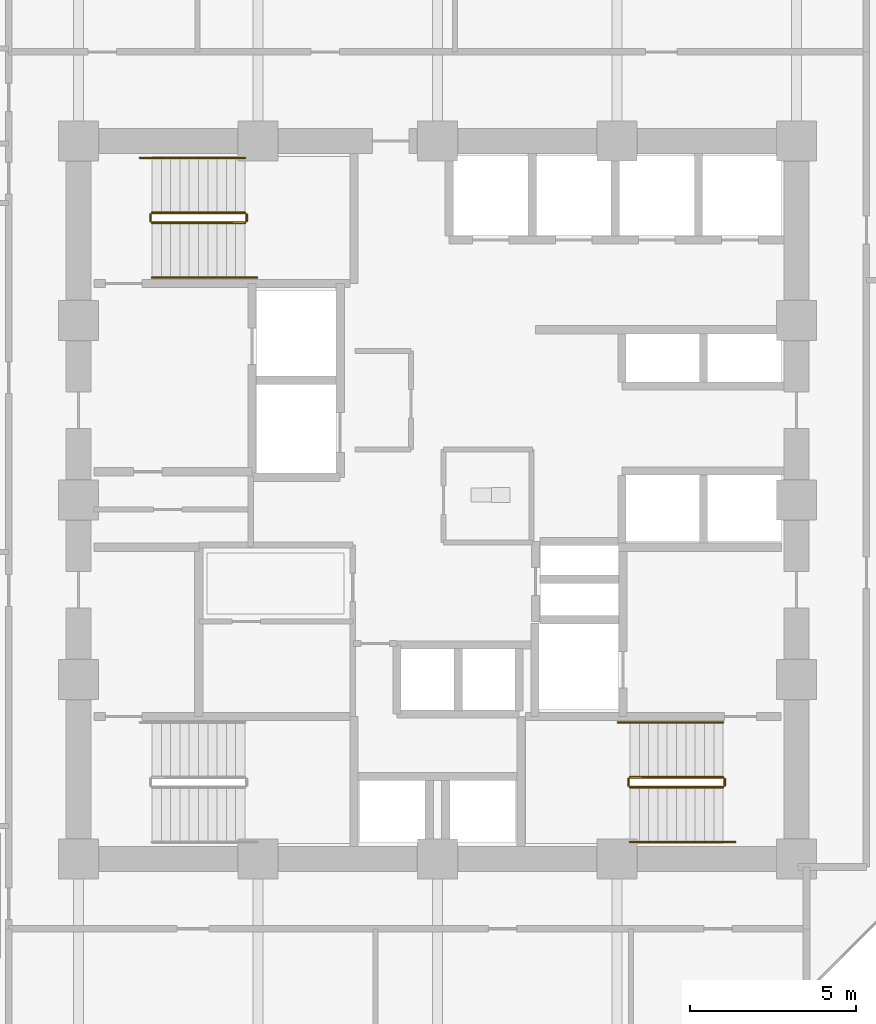
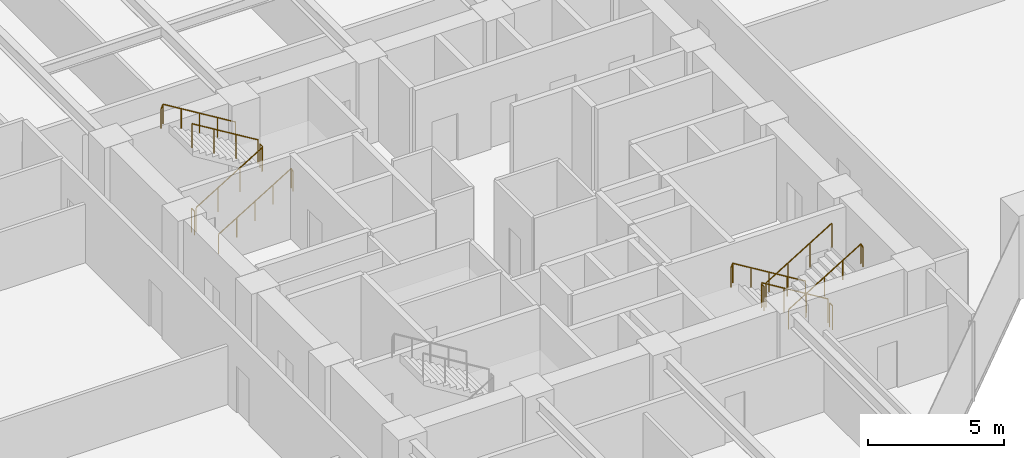
# One storey, part 24 of 25: 12 railings.
"""IFC4 building model written with IfcOpenShell, lengths in metres."""

from ifc_helpers import new_model, si_unit, direction, frame, origin, origin_2d, place, context, subcontext, project, spatial, circle, extrude, material, type_object, element, save


model = new_model("IFC4")

# Units and contexts
model_context = context("Model", 3, precision=1e-05, world=origin(), true_north=direction((0.0, 1.0)))
body_context = subcontext(model_context, "Body", "Model", "MODEL_VIEW")
ifc_project = project(units=[si_unit("LENGTHUNIT", "METRE"), si_unit("AREAUNIT", "SQUARE_METRE"), si_unit("VOLUMEUNIT", "CUBIC_METRE"), si_unit("PLANEANGLEUNIT", "RADIAN"), si_unit("MASSUNIT", "GRAM", prefix="KILO")], contexts=[model_context])

# Site, building, storey
site_placement = place(None, origin())
site = spatial("IfcSite", under=ifc_project, at=site_placement, CompositionType="ELEMENT")
building_placement = place(site_placement, origin())
building = spatial("IfcBuilding", under=site, at=building_placement, Name="Surkhivell Harbour Commons", CompositionType="ELEMENT")
storey_placement = place(building_placement, frame((0.0, 0.0, 45.0)))
storey = spatial("IfcBuildingStorey", under=building, at=storey_placement, Name="L11", CompositionType="ELEMENT", Elevation=45.0)

# Railings
ifc_material_1 = material(Name="Galvanised and painted steel S355 guard rail", Category="steel")
railing_type_1 = type_object("IfcRailingType", Name="RAL-ST-GRD1100", PredefinedType="GUARDRAIL", material=ifc_material_1)
railing_1_placement = place(storey_placement, frame((-8.590087890625, 8.340087890625, 0.17041015625)))
element("IfcRailing", 1, at=railing_1_placement, inside=storey, type_object=railing_type_1, Name="L11 ST1 stair guard 1", PredefinedType="GUARDRAIL", context=body_context, shape_type="SweptSolid", body=[
    extrude(circle(Radius=0.02392578125, at=origin_2d()), frame((0.0, 0.0, 1.076171875), z_axis=(0.854169791009, 0.0, 0.51999420009), x_axis=(0.0, 1.0, 0.0)), (0.0, 0.0, 1.0), 3.278076171875),
    extrude(circle(Radius=0.02099609375, at=origin_2d()), origin(), (0.0, 0.0, 1.0), 1.052001953125),
    extrude(circle(Radius=0.02099609375, at=origin_2d()), frame((0.933349609375, 0.0, 0.568115234375)), (0.0, 0.0, 1.0), 1.052001953125),
    extrude(circle(Radius=0.02099609375, at=origin_2d()), frame((1.86669921875, 0.0, 1.136474609375)), (0.0, 0.0, 1.0), 1.052001953125),
    extrude(circle(Radius=0.02099609375, at=origin_2d()), frame((2.800048828125, 0.0, 1.70458984375)), (0.0, 0.0, 1.0), 1.052001953125),
])
railing_2_placement = place(storey_placement, frame((-5.739990234375, 8.389892578125, 1.875)))
element("IfcRailing", 2, at=railing_2_placement, inside=storey, type_object=railing_type_1, Name="L11 ST1 stair guard 2", PredefinedType="GUARDRAIL", context=body_context, shape_type="SweptSolid", body=[
    extrude(circle(Radius=0.02392578125, at=origin_2d()), frame((0.0, 0.0, 1.076171875), z_axis=(0.0, 1.0, 0.0), x_axis=(-1.0, 0.0, 0.0)), (0.0, 0.0, 1.0), 0.2001953125),
    extrude(circle(Radius=0.02099609375, at=origin_2d()), origin(), (0.0, 0.0, 1.0), 1.052001953125),
    extrude(circle(Radius=0.02099609375, at=origin_2d()), frame((0.0, 0.2001953125, 0.0)), (0.0, 0.0, 1.0), 1.052001953125),
])
railing_3_placement = place(storey_placement, frame((-5.7900390625, 8.639892578125, 2.04541015625)))
element("IfcRailing", 3, at=railing_3_placement, inside=storey, type_object=railing_type_1, Name="L11 ST1 stair guard 3", PredefinedType="GUARDRAIL", context=body_context, shape_type="SweptSolid", body=[
    extrude(circle(Radius=0.02392578125, at=origin_2d()), frame((0.0, 0.0, 1.076171875), z_axis=(-0.854169791009, 0.0, 0.51999420009), x_axis=(0.0, -1.0, 0.0)), (0.0, 0.0, 1.0), 3.278076171875),
    extrude(circle(Radius=0.02099609375, at=origin_2d()), origin(), (0.0, 0.0, 1.0), 1.052001953125),
    extrude(circle(Radius=0.02099609375, at=origin_2d()), frame((-0.933349609375, 0.0, 0.568115234375)), (0.0, 0.0, 1.0), 1.052001953125),
    extrude(circle(Radius=0.02099609375, at=origin_2d()), frame((-1.86669921875, 0.0, 1.136474609375)), (0.0, 0.0, 1.0), 1.052001953125),
    extrude(circle(Radius=0.02099609375, at=origin_2d()), frame((-2.800048828125, 0.0, 1.70458984375)), (0.0, 0.0, 1.0), 1.052001953125),
])
railing_4_placement = place(storey_placement, frame((-8.639892578125, 8.389892578125, 0.0)))
element("IfcRailing", 4, at=railing_4_placement, inside=storey, type_object=railing_type_1, Name="L11 ST1 stair guard 4", PredefinedType="GUARDRAIL", context=body_context, shape_type="SweptSolid", body=[
    extrude(circle(Radius=0.02392578125, at=origin_2d()), frame((0.0, 0.0, 1.076171875), z_axis=(0.0, 1.0, 0.0), x_axis=(-1.0, 0.0, 0.0)), (0.0, 0.0, 1.0), 0.2001953125),
    extrude(circle(Radius=0.02099609375, at=origin_2d()), origin(), (0.0, 0.0, 1.0), 1.052001953125),
    extrude(circle(Radius=0.02099609375, at=origin_2d()), frame((0.0, 0.2001953125, 0.0)), (0.0, 0.0, 1.0), 1.052001953125),
])
railing_5_placement = place(storey_placement, frame((8.590087890625, -8.340087890625, 0.17041015625)))
element("IfcRailing", 5, at=railing_5_placement, inside=storey, type_object=railing_type_1, Name="L11 ST2 stair guard 1", PredefinedType="GUARDRAIL", context=body_context, shape_type="SweptSolid", body=[
    extrude(circle(Radius=0.02392578125, at=origin_2d()), frame((0.0, 0.0, 1.076171875), z_axis=(-0.854169791009, 0.0, 0.51999420009), x_axis=(0.0, -1.0, 0.0)), (0.0, 0.0, 1.0), 3.278076171875),
    extrude(circle(Radius=0.02099609375, at=origin_2d()), origin(), (0.0, 0.0, 1.0), 1.052001953125),
    extrude(circle(Radius=0.02099609375, at=origin_2d()), frame((-0.933349609375, 0.0, 0.568115234375)), (0.0, 0.0, 1.0), 1.052001953125),
    extrude(circle(Radius=0.02099609375, at=origin_2d()), frame((-1.86669921875, 0.0, 1.136474609375)), (0.0, 0.0, 1.0), 1.052001953125),
    extrude(circle(Radius=0.02099609375, at=origin_2d()), frame((-2.800048828125, 0.0, 1.70458984375)), (0.0, 0.0, 1.0), 1.052001953125),
])
railing_6_placement = place(storey_placement, frame((5.739990234375, -8.389892578125, 1.875)))
element("IfcRailing", 6, at=railing_6_placement, inside=storey, type_object=railing_type_1, Name="L11 ST2 stair guard 2", PredefinedType="GUARDRAIL", context=body_context, shape_type="SweptSolid", body=[
    extrude(circle(Radius=0.02392578125, at=origin_2d()), frame((0.0, 0.0, 1.076171875), z_axis=(0.0, -1.0, 0.0), x_axis=(1.0, 0.0, 0.0)), (0.0, 0.0, 1.0), 0.2001953125),
    extrude(circle(Radius=0.02099609375, at=origin_2d()), origin(), (0.0, 0.0, 1.0), 1.052001953125),
    extrude(circle(Radius=0.02099609375, at=origin_2d()), frame((0.0, -0.2001953125, 0.0)), (0.0, 0.0, 1.0), 1.052001953125),
])
railing_7_placement = place(storey_placement, frame((5.7900390625, -8.639892578125, 2.04541015625)))
element("IfcRailing", 7, at=railing_7_placement, inside=storey, type_object=railing_type_1, Name="L11 ST2 stair guard 3", PredefinedType="GUARDRAIL", context=body_context, shape_type="SweptSolid", body=[
    extrude(circle(Radius=0.02392578125, at=origin_2d()), frame((0.0, 0.0, 1.076171875), z_axis=(0.854169791009, 0.0, 0.51999420009), x_axis=(0.0, 1.0, 0.0)), (0.0, 0.0, 1.0), 3.278076171875),
    extrude(circle(Radius=0.02099609375, at=origin_2d()), origin(), (0.0, 0.0, 1.0), 1.052001953125),
    extrude(circle(Radius=0.02099609375, at=origin_2d()), frame((0.933349609375, 0.0, 0.568115234375)), (0.0, 0.0, 1.0), 1.052001953125),
    extrude(circle(Radius=0.02099609375, at=origin_2d()), frame((1.86669921875, 0.0, 1.136474609375)), (0.0, 0.0, 1.0), 1.052001953125),
    extrude(circle(Radius=0.02099609375, at=origin_2d()), frame((2.800048828125, 0.0, 1.70458984375)), (0.0, 0.0, 1.0), 1.052001953125),
])
railing_8_placement = place(storey_placement, frame((8.639892578125, -8.389892578125, 0.0)))
element("IfcRailing", 8, at=railing_8_placement, inside=storey, type_object=railing_type_1, Name="L11 ST2 stair guard 4", PredefinedType="GUARDRAIL", context=body_context, shape_type="SweptSolid", body=[
    extrude(circle(Radius=0.02392578125, at=origin_2d()), frame((0.0, 0.0, 1.076171875), z_axis=(0.0, -1.0, 0.0), x_axis=(1.0, 0.0, 0.0)), (0.0, 0.0, 1.0), 0.2001953125),
    extrude(circle(Radius=0.02099609375, at=origin_2d()), origin(), (0.0, 0.0, 1.0), 1.052001953125),
    extrude(circle(Radius=0.02099609375, at=origin_2d()), frame((0.0, -0.2001953125, 0.0)), (0.0, 0.0, 1.0), 1.052001953125),
])
ifc_material_2 = material(Name="Brushed stainless steel S355 handrail", Category="steel")
railing_type_2 = type_object("IfcRailingType", Name="RAL-ST-HND900", PredefinedType="HANDRAIL", material=ifc_material_2)
railing_9_placement = place(storey_placement, frame((-8.590087890625, 6.68994140625, 0.17041015625)))
element("IfcRailing", 9, at=railing_9_placement, inside=storey, type_object=railing_type_2, Name="L11 ST1 stair handrail 1", PredefinedType="HANDRAIL", context=body_context, shape_type="SweptSolid", body=[
    extrude(circle(Radius=0.02392578125, at=origin_2d()), frame((0.0, 0.0, 0.8759765625), z_axis=(0.854177636135, 0.0, 0.519981313056), x_axis=(0.0, 1.0, 0.0)), (0.0, 0.0, 1.0), 3.60595703125),
    extrude(circle(Radius=0.02392578125, at=origin_2d()), frame((3.080078125, 0.0, 2.7509765625), z_axis=(0.425297416671, 0.0, -0.905053648892), x_axis=(0.0, 1.0, 0.0)), (0.0, 0.0, 1.0), 0.188232421875),
    extrude(circle(Radius=0.02099609375, at=origin_2d()), origin(), (0.0, 0.0, 1.0), 0.851806640625),
    extrude(circle(Radius=0.02099609375, at=origin_2d()), frame((0.77001953125, 0.0, 0.46875)), (0.0, 0.0, 1.0), 0.851806640625),
    extrude(circle(Radius=0.02099609375, at=origin_2d()), frame((1.5400390625, 0.0, 0.9375)), (0.0, 0.0, 1.0), 0.851806640625),
    extrude(circle(Radius=0.02099609375, at=origin_2d()), frame((2.31005859375, 0.0, 1.40625)), (0.0, 0.0, 1.0), 0.851806640625),
    extrude(circle(Radius=0.02099609375, at=origin_2d()), frame((3.080078125, 0.0, 1.875)), (0.0, 0.0, 1.0), 0.851806640625),
    extrude(circle(Radius=0.02099609375, at=origin_2d()), frame((3.16015625, 0.0, 1.70458984375)), (0.0, 0.0, 1.0), 0.851806640625),
])
railing_10_placement = place(storey_placement, frame((-5.7900390625, 10.2900390625, 2.04541015625)))
element("IfcRailing", 10, at=railing_10_placement, inside=storey, type_object=railing_type_2, Name="L11 ST1 stair handrail 2", PredefinedType="HANDRAIL", context=body_context, shape_type="SweptSolid", body=[
    extrude(circle(Radius=0.02392578125, at=origin_2d()), frame((0.0, 0.0, 0.8759765625), z_axis=(-0.854177636135, 0.0, 0.519981313056), x_axis=(0.0, -1.0, 0.0)), (0.0, 0.0, 1.0), 3.60595703125),
    extrude(circle(Radius=0.02392578125, at=origin_2d()), frame((-3.080078125, 0.0, 2.7509765625), z_axis=(-0.424234432967, 0.0, -0.905552398199), x_axis=(0.0, -1.0, 0.0)), (0.0, 0.0, 1.0), 0.188232421875),
    extrude(circle(Radius=0.02099609375, at=origin_2d()), origin(), (0.0, 0.0, 1.0), 0.851806640625),
    extrude(circle(Radius=0.02099609375, at=origin_2d()), frame((-0.77001953125, 0.0, 0.46875)), (0.0, 0.0, 1.0), 0.851806640625),
    extrude(circle(Radius=0.02099609375, at=origin_2d()), frame((-1.5400390625, 0.0, 0.9375)), (0.0, 0.0, 1.0), 0.851806640625),
    extrude(circle(Radius=0.02099609375, at=origin_2d()), frame((-2.31005859375, 0.0, 1.40625)), (0.0, 0.0, 1.0), 0.851806640625),
    extrude(circle(Radius=0.02099609375, at=origin_2d()), frame((-3.080078125, 0.0, 1.875)), (0.0, 0.0, 1.0), 0.851806640625),
    extrude(circle(Radius=0.02099609375, at=origin_2d()), frame((-3.159912109375, 0.0, 1.70458984375)), (0.0, 0.0, 1.0), 0.851806640625),
])
railing_11_placement = place(storey_placement, frame((8.590087890625, -6.68994140625, 0.17041015625)))
element("IfcRailing", 11, at=railing_11_placement, inside=storey, type_object=railing_type_2, Name="L11 ST2 stair handrail 1", PredefinedType="HANDRAIL", context=body_context, shape_type="SweptSolid", body=[
    extrude(circle(Radius=0.02392578125, at=origin_2d()), frame((0.0, 0.0, 0.8759765625), z_axis=(-0.854177636135, 0.0, 0.519981313056), x_axis=(0.0, -1.0, 0.0)), (0.0, 0.0, 1.0), 3.60595703125),
    extrude(circle(Radius=0.02392578125, at=origin_2d()), frame((-3.080078125, 0.0, 2.7509765625), z_axis=(-0.425297416671, 0.0, -0.905053648892), x_axis=(0.0, -1.0, 0.0)), (0.0, 0.0, 1.0), 0.188232421875),
    extrude(circle(Radius=0.02099609375, at=origin_2d()), origin(), (0.0, 0.0, 1.0), 0.851806640625),
    extrude(circle(Radius=0.02099609375, at=origin_2d()), frame((-0.77001953125, 0.0, 0.46875)), (0.0, 0.0, 1.0), 0.851806640625),
    extrude(circle(Radius=0.02099609375, at=origin_2d()), frame((-1.5400390625, 0.0, 0.9375)), (0.0, 0.0, 1.0), 0.851806640625),
    extrude(circle(Radius=0.02099609375, at=origin_2d()), frame((-2.31005859375, 0.0, 1.40625)), (0.0, 0.0, 1.0), 0.851806640625),
    extrude(circle(Radius=0.02099609375, at=origin_2d()), frame((-3.080078125, 0.0, 1.875)), (0.0, 0.0, 1.0), 0.851806640625),
    extrude(circle(Radius=0.02099609375, at=origin_2d()), frame((-3.16015625, 0.0, 1.70458984375)), (0.0, 0.0, 1.0), 0.851806640625),
])
railing_12_placement = place(storey_placement, frame((5.7900390625, -10.2900390625, 2.04541015625)))
element("IfcRailing", 12, at=railing_12_placement, inside=storey, type_object=railing_type_2, Name="L11 ST2 stair handrail 2", PredefinedType="HANDRAIL", context=body_context, shape_type="SweptSolid", body=[
    extrude(circle(Radius=0.02392578125, at=origin_2d()), frame((0.0, 0.0, 0.8759765625), z_axis=(0.854177636135, 0.0, 0.519981313056), x_axis=(0.0, 1.0, 0.0)), (0.0, 0.0, 1.0), 3.60595703125),
    extrude(circle(Radius=0.02392578125, at=origin_2d()), frame((3.080078125, 0.0, 2.7509765625), z_axis=(0.424234432967, 0.0, -0.905552398199), x_axis=(0.0, 1.0, 0.0)), (0.0, 0.0, 1.0), 0.188232421875),
    extrude(circle(Radius=0.02099609375, at=origin_2d()), origin(), (0.0, 0.0, 1.0), 0.851806640625),
    extrude(circle(Radius=0.02099609375, at=origin_2d()), frame((0.77001953125, 0.0, 0.46875)), (0.0, 0.0, 1.0), 0.851806640625),
    extrude(circle(Radius=0.02099609375, at=origin_2d()), frame((1.5400390625, 0.0, 0.9375)), (0.0, 0.0, 1.0), 0.851806640625),
    extrude(circle(Radius=0.02099609375, at=origin_2d()), frame((2.31005859375, 0.0, 1.40625)), (0.0, 0.0, 1.0), 0.851806640625),
    extrude(circle(Radius=0.02099609375, at=origin_2d()), frame((3.080078125, 0.0, 1.875)), (0.0, 0.0, 1.0), 0.851806640625),
    extrude(circle(Radius=0.02099609375, at=origin_2d()), frame((3.159912109375, 0.0, 1.70458984375)), (0.0, 0.0, 1.0), 0.851806640625),
])

save(model, "model.ifc")
